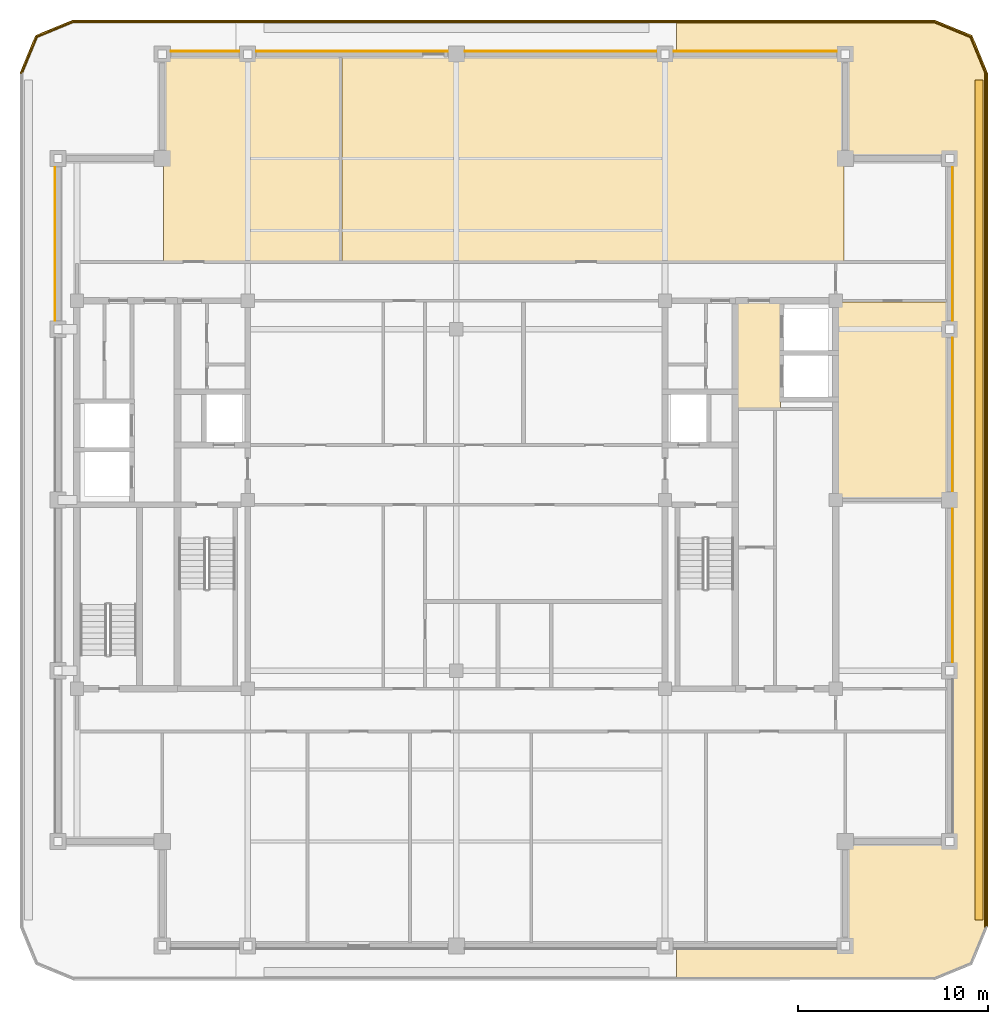
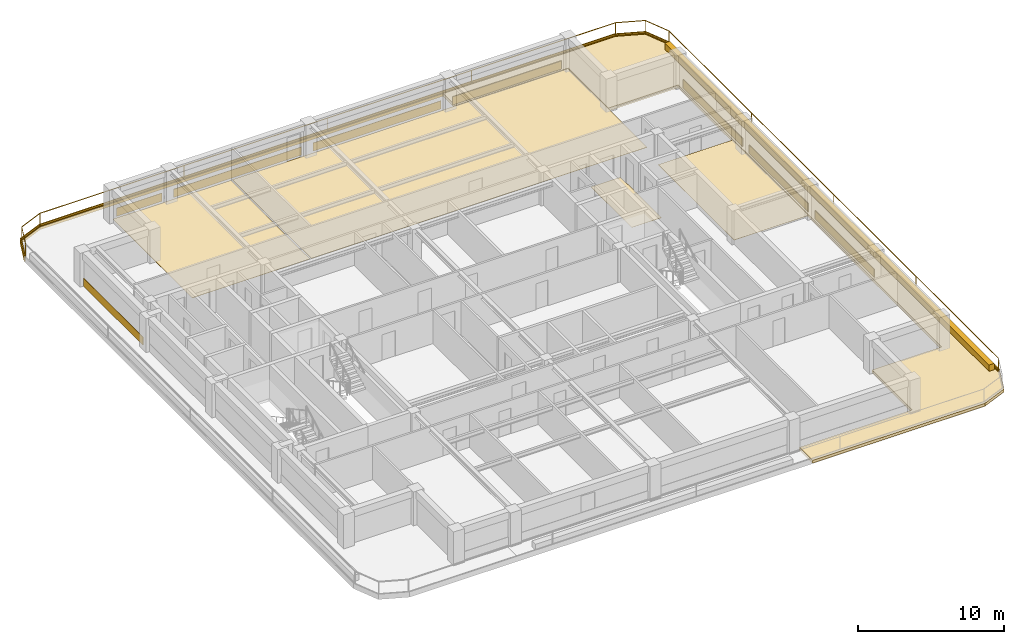
# One storey, part 10 of 10: 20 coverings, 2 railings.
"""IFC4 building model written with IfcOpenShell, lengths in metres."""

from ifc_helpers import new_model, si_unit, direction, frame, frame_2d, origin, origin_2d, place, context, subcontext, project, spatial, polyline, rectangle, outline, extrude, material, layer, layer_set, type_object, element, save


model = new_model("IFC4")

# Units and contexts
model_context = context("Model", 3, precision=1e-05, world=origin(), true_north=direction((0.0, 1.0)))
body_context = subcontext(model_context, "Body", "Model", "MODEL_VIEW")
ifc_project = project(units=[si_unit("LENGTHUNIT", "METRE"), si_unit("AREAUNIT", "SQUARE_METRE"), si_unit("VOLUMEUNIT", "CUBIC_METRE"), si_unit("PLANEANGLEUNIT", "RADIAN"), si_unit("MASSUNIT", "GRAM", prefix="KILO")], contexts=[model_context])

# Site, building, storey
site_placement = place(None, origin())
site = spatial("IfcSite", under=ifc_project, at=site_placement, CompositionType="ELEMENT")
building_placement = place(site_placement, origin())
building = spatial("IfcBuilding", under=site, at=building_placement, Name="Zulmaris Gate Convention Tower", CompositionType="ELEMENT")
storey_placement = place(building_placement, frame((0.0, 0.0, 246.199951171875)))
storey = spatial("IfcBuildingStorey", under=building, at=storey_placement, Name="L65", CompositionType="ELEMENT", Elevation=246.199951171875)

# Coverings
ifc_material_1 = material(Name="Precast concrete C40/50", Category="concrete")
ifc_layer_1 = layer(ifc_material_1, 0.0400390625, Name="Precast concrete C40/50")
ifc_layer_set_1 = layer_set([ifc_layer_1], Name="Precast concrete C40/50")
covering_type_1 = type_object("IfcCoveringType", Name="CLAD-SPANDREL-PRECAST", PredefinedType="CLADDING", material=ifc_layer_set_1)
covering_1_placement = place(storey_placement, frame((-11.455078125, 23.64990234375, 0.0), z_axis=(0.0, 0.0, 1.0), x_axis=(-1.0, 0.0, 0.0)))
element("IfcCovering", 1, at=covering_1_placement, inside=storey, type_object=covering_type_1, Name="CLD-L65-N-0_0", PredefinedType="CLADDING", context=body_context, shape_type="SweptSolid", body=[
    extrude(rectangle(XDim=3.58984375, YDim=0.0400390625, at=frame_2d((1.794921875, 0.0))), origin(), (0.0, 0.0, 1.0), 0.679931640625),
])
for number, where, z_axis, x_axis, name in (
    (2, (-0.455078125, 23.64990234375, 0.0), (0.0, 0.0, 1.0), (-1.0, 0.0, 0.0), "CLD-L65-N-1_0"),
    (3, (10.544921875, 23.64990234375, 0.0), (0.0, 0.0, 1.0), (-1.0, 0.0, 0.0), "CLD-L65-N-2_0"),
):
    element("IfcCovering", number, at=place(storey_placement, frame(where, z_axis=z_axis, x_axis=x_axis)), inside=storey, type_object=covering_type_1, Name=name, PredefinedType="CLADDING", context=body_context, shape_type="SweptSolid", body=[
        extrude(rectangle(XDim=10.08984375, YDim=0.0400390625, at=frame_2d((5.044921875, 0.0))), origin(), (0.0, 0.0, 1.0), 0.679931640625),
    ])
covering_2_placement = place(storey_placement, frame((20.044921875, 23.64990234375, 0.0), z_axis=(0.0, 0.0, 1.0), x_axis=(-1.0, 0.0, 0.0)))
element("IfcCovering", 4, at=covering_2_placement, inside=storey, type_object=covering_type_1, Name="CLD-L65-N-3_0", PredefinedType="CLADDING", context=body_context, shape_type="SweptSolid", body=[
    extrude(rectangle(XDim=8.58984375, YDim=0.0400390625, at=frame_2d((4.294921875, 0.0))), origin(), (0.0, 0.0, 1.0), 0.679931640625),
])
for number, where, z_axis, x_axis, name in (
    (5, (26.14990234375, -8.544921875, 0.0), (0.0, 0.0, 1.0), (0.0, 1.0, 0.0), "CLD-L65-E-1_0"),
    (6, (26.14990234375, 0.455078125, 0.0), (0.0, 0.0, 1.0), (0.0, 1.0, 0.0), "CLD-L65-E-2_0"),
    (7, (26.14990234375, 9.455078125, 0.0), (0.0, 0.0, 1.0), (0.0, 1.0, 0.0), "CLD-L65-E-3_0"),
    (8, (-21.14990234375, 17.544921875, 0.0), (0.0, 0.0, 1.0), (0.0, -1.0, 0.0), "CLD-L65-W-3_0"),
):
    element("IfcCovering", number, at=place(storey_placement, frame(where, z_axis=z_axis, x_axis=x_axis)), inside=storey, type_object=covering_type_1, Name=name, PredefinedType="CLADDING", context=body_context, shape_type="SweptSolid", body=[
        extrude(rectangle(XDim=8.08984375, YDim=0.0400390625, at=frame_2d((4.044921875, 0.0))), origin(), (0.0, 0.0, 1.0), 0.679931640625),
    ])
ifc_material_2 = material(Name="White Glazed Architectural Precast Concrete C40/50", Category="concrete")
ifc_layer_2 = layer(ifc_material_2, 0.239990234375, Name="White Glazed Architectural Precast Concrete C40/50")
ifc_layer_set_2 = layer_set([ifc_layer_2], Name="White Glazed Architectural Precast Concrete C40/50")
covering_type_2 = type_object("IfcCoveringType", Name="CLAD-TRAY-DECK", PredefinedType="CLADDING", material=ifc_layer_set_2)
covering_3_placement = place(storey_placement, frame((0.0, 0.0, -0.25)))
element("IfcCovering", 9, at=covering_3_placement, inside=storey, type_object=covering_type_2, Name="L65 East Rounded-Fascia Planter Tray Deck", PredefinedType="CLADDING", context=body_context, shape_type="SweptSolid", body=[
    extrude(outline(polyline([(25.199951171875, 25.300048828125), (27.179931640625, 24.47998046875), (28.0, 22.5), (28.0, -22.5), (27.179931640625, -24.47998046875), (25.199951171875, -25.300048828125), (11.60205078125, -25.300048828125), (11.60205078125, -23.5), (20.5, -23.5), (20.5, -18.0), (26.0, -18.0), (26.0, 18.0), (20.5, 18.0), (20.5, 23.5), (11.60205078125, 23.5), (11.60205078125, 25.300048828125), (25.199951171875, 25.300048828125)])), origin(), (0.0, 0.0, 1.0), 0.239990234375),
])
ifc_layer_3 = layer(ifc_material_2, 0.080078125, Name="White Glazed Architectural Precast Concrete C40/50")
ifc_layer_set_3 = layer_set([ifc_layer_3], Name="White Glazed Architectural Precast Concrete C40/50")
covering_type_3 = type_object("IfcCoveringType", Name="CLAD-TRAY-FASCIA", PredefinedType="CLADDING", material=ifc_layer_set_3)
covering_4_placement = place(storey_placement, frame((27.9599609375, -22.5, -0.2900390625), z_axis=(0.0, 0.0, 1.0), x_axis=(0.0, 1.0, 0.0)))
element("IfcCovering", 10, at=covering_4_placement, inside=storey, type_object=covering_type_3, Name="FSC-L65-TR-05", PredefinedType="CLADDING", context=body_context, shape_type="SweptSolid", body=[
    extrude(rectangle(XDim=45.0, YDim=0.080078125, at=frame_2d((22.5, 0.0))), origin(), (0.0, 0.0, 1.0), 0.440185546875),
])
covering_5_placement = place(storey_placement, frame((27.962890625, 22.484619140625, -0.2900390625), z_axis=(0.0, 0.0, 1.0), x_axis=(-0.382656984709, 0.923890487046, 0.0)))
element("IfcCovering", 11, at=covering_5_placement, inside=storey, type_object=covering_type_3, Name="FSC-L65-TR-06", PredefinedType="CLADDING", context=body_context, shape_type="SweptSolid", body=[
    extrude(rectangle(XDim=2.14306640625, YDim=0.080078125, at=frame_2d((1.071533203125, 0.0))), origin(), (0.0, 0.0, 1.0), 0.440185546875),
])
covering_6_placement = place(storey_placement, frame((27.16455078125, 24.44287109375, -0.2900390625), z_axis=(0.0, 0.0, 1.0), x_axis=(-0.923873803533, 0.382697263049, 0.0)))
element("IfcCovering", 12, at=covering_6_placement, inside=storey, type_object=covering_type_3, Name="FSC-L65-TR-07", PredefinedType="CLADDING", context=body_context, shape_type="SweptSolid", body=[
    extrude(rectangle(XDim=2.142822265625, YDim=0.080078125, at=frame_2d((1.0712890625, 0.0))), origin(), (0.0, 0.0, 1.0), 0.440185546875),
])
covering_7_placement = place(storey_placement, frame((25.199951171875, 25.260009765625, -0.2900390625), z_axis=(0.0, 0.0, 1.0), x_axis=(-1.0, 0.0, 0.0)))
element("IfcCovering", 13, at=covering_7_placement, inside=storey, type_object=covering_type_3, Name="FSC-L65-TR-08", PredefinedType="CLADDING", context=body_context, shape_type="SweptSolid", body=[
    extrude(rectangle(XDim=45.39990234375, YDim=0.080078125, at=frame_2d((22.699951171875, 0.0))), origin(), (0.0, 0.0, 1.0), 0.440185546875),
])
covering_8_placement = place(storey_placement, frame((-20.184814453125, 25.262939453125, -0.2900390625), z_axis=(0.0, 0.0, 1.0), x_axis=(-0.923873803533, -0.382697263049, 0.0)))
element("IfcCovering", 14, at=covering_8_placement, inside=storey, type_object=covering_type_3, Name="FSC-L65-TR-09", PredefinedType="CLADDING", context=body_context, shape_type="SweptSolid", body=[
    extrude(rectangle(XDim=2.142822265625, YDim=0.080078125, at=frame_2d((1.0712890625, 0.0))), origin(), (0.0, 0.0, 1.0), 0.440185546875),
])
covering_9_placement = place(storey_placement, frame((-22.142822265625, 24.464599609375, -0.2900390625), z_axis=(0.0, 0.0, 1.0), x_axis=(-0.382656984709, -0.923890487046, 0.0)))
element("IfcCovering", 15, at=covering_9_placement, inside=storey, type_object=covering_type_3, Name="FSC-L65-TR-10", PredefinedType="CLADDING", context=body_context, shape_type="SweptSolid", body=[
    extrude(rectangle(XDim=2.14306640625, YDim=0.080078125, at=frame_2d((1.071533203125, 0.0))), origin(), (0.0, 0.0, 1.0), 0.440185546875),
])
ifc_material_3 = material(Name="Woven Acoustic Wool Carpet Tile")
ifc_layer_4 = layer(ifc_material_3, 0.02001953125, Name="Woven Acoustic Wool Carpet Tile")
ifc_layer_set_4 = layer_set([ifc_layer_4], Name="Woven Acoustic Wool Carpet Tile")
covering_type_4 = type_object("IfcCoveringType", Name="FLR-CARPET-12", PredefinedType="FLOORING", material=ifc_layer_set_4)
covering_10_placement = place(storey_placement, origin())
element("IfcCovering", 16, at=covering_10_placement, inside=storey, type_object=covering_type_4, Name="FLR-L65-R26", PredefinedType="FLOORING", context=body_context, shape_type="SweptSolid", body=[
    extrude(outline(polyline([(14.760009765625, 4.860107421875), (17.090087890625, 4.860107421875), (17.090087890625, 10.43994140625), (14.760009765625, 10.43994140625), (14.760009765625, 4.860107421875)])), origin(), (0.0, 0.0, 1.0), 0.02001953125),
])
covering_11_placement = place(storey_placement, origin())
element("IfcCovering", 17, at=covering_11_placement, inside=storey, type_object=covering_type_4, Name="FLR-L65-R38", PredefinedType="FLOORING", context=body_context, shape_type="SweptSolid", body=[
    extrude(outline(polyline([(-6.0400390625, 12.610107421875), (20.43994140625, 12.610107421875), (20.43994140625, 23.43994140625), (-6.0400390625, 23.43994140625), (-6.0400390625, 12.610107421875)])), origin(), (0.0, 0.0, 1.0), 0.02001953125),
])
covering_12_placement = place(storey_placement, origin())
element("IfcCovering", 18, at=covering_12_placement, inside=storey, type_object=covering_type_4, Name="FLR-L65-R54", PredefinedType="FLOORING", context=body_context, shape_type="SweptSolid", body=[
    extrude(outline(polyline([(20.06005859375, 0.06005859375), (25.93994140625, 0.06005859375), (25.93994140625, 10.43994140625), (20.06005859375, 10.43994140625), (20.06005859375, 0.06005859375)])), origin(), (0.0, 0.0, 1.0), 0.02001953125),
])
ifc_material_4 = material(Name="Engineered Teak Parquet Flooring")
ifc_layer_5 = layer(ifc_material_4, 0.02001953125, Name="Engineered Teak Parquet Flooring")
ifc_layer_set_5 = layer_set([ifc_layer_5], Name="Engineered Teak Parquet Flooring")
covering_type_5 = type_object("IfcCoveringType", Name="FLR-TIMBER-18", PredefinedType="FLOORING", material=ifc_layer_set_5)
covering_13_placement = place(storey_placement, origin())
element("IfcCovering", 19, at=covering_13_placement, inside=storey, type_object=covering_type_5, Name="FLR-L65-R37", PredefinedType="FLOORING", context=body_context, shape_type="SweptSolid", body=[
    extrude(outline(polyline([(-15.43994140625, 12.610107421875), (-6.159912109375, 12.610107421875), (-6.159912109375, 23.43994140625), (-15.43994140625, 23.43994140625), (-15.43994140625, 12.610107421875)])), origin(), (0.0, 0.0, 1.0), 0.02001953125),
])
ifc_material_5 = material(Name="Botanical Green Glazed Precast Concrete C40/50", Category="concrete")
ifc_layer_6 = layer(ifc_material_5, 0.419921875, Name="Botanical Green Glazed Precast Concrete C40/50")
ifc_layer_set_6 = layer_set([ifc_layer_6], Name="Botanical Green Glazed Precast Concrete C40/50")
covering_type_6 = type_object("IfcCoveringType", Name="PLANTER-BOX-200", PredefinedType="CLADDING", material=ifc_layer_set_6)
covering_14_placement = place(storey_placement, frame((0.0, 0.0, -0.010009765625)))
element("IfcCovering", 20, at=covering_14_placement, inside=storey, type_object=covering_type_6, Name="L65 E Full-Length Balcony Tree Planter Trough", PredefinedType="CLADDING", context=body_context, shape_type="SweptSolid", body=[
    extrude(outline(polyline([(27.340087890625, -22.14990234375), (27.760009765625, -22.14990234375), (27.760009765625, 22.14990234375), (27.340087890625, 22.14990234375), (27.340087890625, -22.14990234375)])), origin(), (0.0, 0.0, 1.0), 0.52001953125),
])

# Railings
ifc_material_6 = material(Name="Laminated Glass and Stainless Steel", Category="steel")
railing_type = type_object("IfcRailingType", Name="RL-BALC-1150", PredefinedType="BALUSTRADE", material=ifc_material_6)
railing_1_placement = place(storey_placement, frame((27.8798828125, -22.5, -0.010009765625)))
element("IfcRailing", 21, at=railing_1_placement, inside=storey, type_object=railing_type, Name="RL-L65-BALC-E", PredefinedType="BALUSTRADE", context=body_context, shape_type="SweptSolid", body=[
    extrude(rectangle(XDim=0.048095703125, YDim=0.048095703125, at=origin_2d()), frame((0.0, 0.0, 1.1259765625), z_axis=(0.0, 1.0, 0.0), x_axis=(-1.0, 0.0, 0.0)), (0.0, 0.0, 1.0), 45.0),
    extrude(rectangle(XDim=0.048095703125, YDim=0.048095703125, at=origin_2d()), frame((0.0, 0.0, 0.02392578125), z_axis=(0.0, 1.0, 0.0), x_axis=(-1.0, 0.0, 0.0)), (0.0, 0.0, 1.0), 45.0),
    extrude(rectangle(XDim=0.0419921875, YDim=0.0419921875, at=origin_2d()), origin(), (0.0, 0.0, 1.0), 1.101806640625),
    extrude(rectangle(XDim=0.0419921875, YDim=0.0419921875, at=origin_2d()), frame((0.0, 11.25, 0.0)), (0.0, 0.0, 1.0), 1.101806640625),
    extrude(rectangle(XDim=0.0419921875, YDim=0.0419921875, at=origin_2d()), frame((0.0, 22.5, 0.0)), (0.0, 0.0, 1.0), 1.101806640625),
    extrude(rectangle(XDim=0.0419921875, YDim=0.0419921875, at=origin_2d()), frame((0.0, 33.75, 0.0)), (0.0, 0.0, 1.0), 1.101806640625),
    extrude(rectangle(XDim=0.0419921875, YDim=0.0419921875, at=origin_2d()), frame((0.0, 45.0, 0.0)), (0.0, 0.0, 1.0), 1.101806640625),
])
railing_2_placement = place(storey_placement, frame((27.8798828125, 22.5, -0.010009765625)))
element("IfcRailing", 22, at=railing_2_placement, inside=storey, type_object=railing_type, Name="RL-L65-BALC-N", PredefinedType="BALUSTRADE", context=body_context, shape_type="SweptSolid", body=[
    extrude(rectangle(XDim=0.048095703125, YDim=0.048095703125, at=origin_2d()), frame((0.0, 0.0, 1.1259765625), z_axis=(-0.382670664694, 0.92388482095, 0.0), x_axis=(-0.92388482095, -0.382670664694, 0.0)), (0.0, 0.0, 1.0), 2.051025390625),
    extrude(rectangle(XDim=0.048095703125, YDim=0.048095703125, at=origin_2d()), frame((0.0, 0.0, 0.02392578125), z_axis=(-0.382670664694, 0.92388482095, 0.0), x_axis=(-0.92388482095, -0.382670664694, 0.0)), (0.0, 0.0, 1.0), 2.051025390625),
    extrude(rectangle(XDim=0.048095703125, YDim=0.048095703125, at=origin_2d()), frame((-0.784912109375, 1.89501953125, 1.1259765625), z_axis=(-0.92388482095, 0.382670664694, 0.0), x_axis=(-0.382670664694, -0.92388482095, 0.0)), (0.0, 0.0, 1.0), 2.051025390625),
    extrude(rectangle(XDim=0.048095703125, YDim=0.048095703125, at=origin_2d()), frame((-0.784912109375, 1.89501953125, 0.02392578125), z_axis=(-0.92388482095, 0.382670664694, 0.0), x_axis=(-0.382670664694, -0.92388482095, 0.0)), (0.0, 0.0, 1.0), 2.051025390625),
    extrude(rectangle(XDim=0.048095703125, YDim=0.048095703125, at=origin_2d()), frame((-2.679931640625, 2.679931640625, 1.1259765625), z_axis=(-1.0, 0.0, 0.0), x_axis=(0.0, -1.0, 0.0)), (0.0, 0.0, 1.0), 45.39990234375),
    extrude(rectangle(XDim=0.048095703125, YDim=0.048095703125, at=origin_2d()), frame((-2.679931640625, 2.679931640625, 0.02392578125), z_axis=(-1.0, 0.0, 0.0), x_axis=(0.0, -1.0, 0.0)), (0.0, 0.0, 1.0), 45.39990234375),
    extrude(rectangle(XDim=0.048095703125, YDim=0.048095703125, at=origin_2d()), frame((-48.079833984375, 2.679931640625, 1.1259765625), z_axis=(-0.92388482095, -0.382670664694, 0.0), x_axis=(0.382670664694, -0.92388482095, 0.0)), (0.0, 0.0, 1.0), 2.051025390625),
    extrude(rectangle(XDim=0.048095703125, YDim=0.048095703125, at=origin_2d()), frame((-48.079833984375, 2.679931640625, 0.02392578125), z_axis=(-0.92388482095, -0.382670664694, 0.0), x_axis=(0.382670664694, -0.92388482095, 0.0)), (0.0, 0.0, 1.0), 2.051025390625),
    extrude(rectangle(XDim=0.048095703125, YDim=0.048095703125, at=origin_2d()), frame((-49.974853515625, 1.89501953125, 1.1259765625), z_axis=(-0.382670664694, -0.92388482095, 0.0), x_axis=(0.92388482095, -0.382670664694, 0.0)), (0.0, 0.0, 1.0), 2.051025390625),
    extrude(rectangle(XDim=0.048095703125, YDim=0.048095703125, at=origin_2d()), frame((-49.974853515625, 1.89501953125, 0.02392578125), z_axis=(-0.382670664694, -0.92388482095, 0.0), x_axis=(0.92388482095, -0.382670664694, 0.0)), (0.0, 0.0, 1.0), 2.051025390625),
    extrude(rectangle(XDim=0.0419921875, YDim=0.0419921875, at=origin_2d()), origin(), (0.0, 0.0, 1.0), 1.101806640625),
    extrude(rectangle(XDim=0.0419921875, YDim=0.0419921875, at=origin_2d()), frame((-0.784912109375, 1.89501953125, 0.0)), (0.0, 0.0, 1.0), 1.101806640625),
    extrude(rectangle(XDim=0.0419921875, YDim=0.0419921875, at=origin_2d()), frame((-2.679931640625, 2.679931640625, 0.0)), (0.0, 0.0, 1.0), 1.101806640625),
    extrude(rectangle(XDim=0.0419921875, YDim=0.0419921875, at=origin_2d()), frame((-14.02978515625, 2.679931640625, 0.0)), (0.0, 0.0, 1.0), 1.101806640625),
    extrude(rectangle(XDim=0.0419921875, YDim=0.0419921875, at=origin_2d()), frame((-25.3798828125, 2.679931640625, 0.0)), (0.0, 0.0, 1.0), 1.101806640625),
    extrude(rectangle(XDim=0.0419921875, YDim=0.0419921875, at=origin_2d()), frame((-36.72998046875, 2.679931640625, 0.0)), (0.0, 0.0, 1.0), 1.101806640625),
    extrude(rectangle(XDim=0.0419921875, YDim=0.0419921875, at=origin_2d()), frame((-48.079833984375, 2.679931640625, 0.0)), (0.0, 0.0, 1.0), 1.101806640625),
    extrude(rectangle(XDim=0.0419921875, YDim=0.0419921875, at=origin_2d()), frame((-49.974853515625, 1.89501953125, 0.0)), (0.0, 0.0, 1.0), 1.101806640625),
    extrude(rectangle(XDim=0.0419921875, YDim=0.0419921875, at=origin_2d()), frame((-50.759765625, 0.0, 0.0)), (0.0, 0.0, 1.0), 1.101806640625),
])

save(model, "model.ifc")
